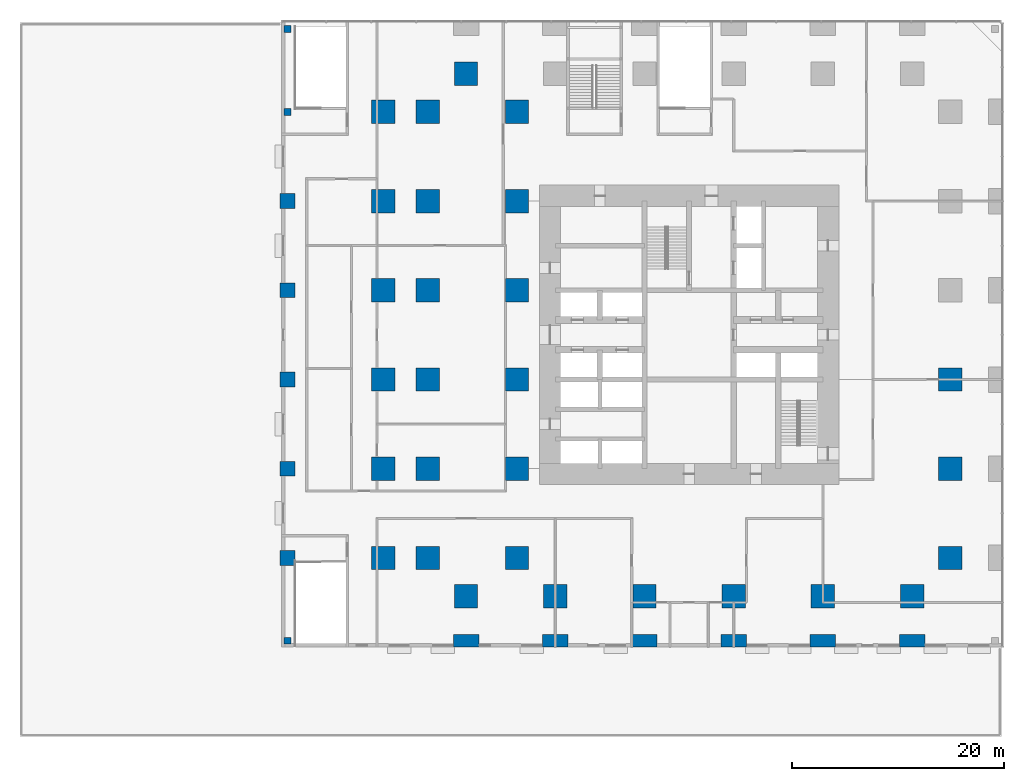
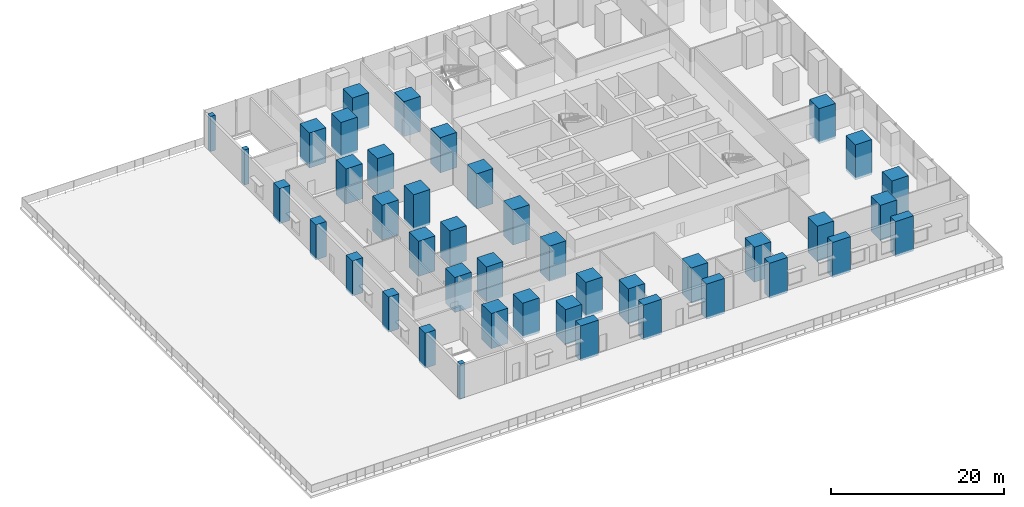
# One storey, part 1 of 18: 42 columns.
"""IFC4 building model written with IfcOpenShell, lengths in metres."""

from ifc_helpers import new_model, si_unit, direction, frame, origin, origin_2d, place, context, subcontext, project, spatial, rectangle, extrude, material, material_profile, profile_set, type_object, element, save


model = new_model("IFC4")

# Units and contexts
model_context = context("Model", 3, precision=1e-05, world=origin(), true_north=direction((0.0, 1.0)))
body_context = subcontext(model_context, "Body", "Model", "MODEL_VIEW")
ifc_project = project(units=[si_unit("LENGTHUNIT", "METRE"), si_unit("AREAUNIT", "SQUARE_METRE"), si_unit("VOLUMEUNIT", "CUBIC_METRE"), si_unit("PLANEANGLEUNIT", "RADIAN"), si_unit("MASSUNIT", "GRAM", prefix="KILO")], contexts=[model_context])

# Site, building, storey
site_placement = place(None, origin())
site = spatial("IfcSite", under=ifc_project, at=site_placement, CompositionType="ELEMENT")
building_placement = place(site_placement, origin())
building = spatial("IfcBuilding", under=site, at=building_placement, Name="Dunama Terrace Hotel", CompositionType="ELEMENT")
storey_placement = place(building_placement, frame((0.0, 0.0, 17.0)))
storey = spatial("IfcBuildingStorey", under=building, at=storey_placement, Name="L03", CompositionType="ELEMENT", Elevation=17.0)

# Columns
ifc_material_1 = material(Name="Concrete C50/60", Category="concrete")
ifc_material_profile_1 = material_profile(ifc_material_1, rectangle(XDim=1.39990234375, YDim=1.39990234375, at=origin_2d()), Name="RC 1400x1400")
ifc_profile_set_1 = profile_set([ifc_material_profile_1], Name="Concrete C50/60")
column_type_1 = type_object("IfcColumnType", Name="Column RC 1400x1400", PredefinedType="COLUMN", material=ifc_profile_set_1)
for number, where, z_axis, x_axis, name in (
    (1, (-8.39990234375, 8.39990234375, -0.300048828125), (0.0, 0.0, 1.0), (1.0, 0.0, 0.0), "Column L03 -8.4/+8.4"),
    (2, (-8.39990234375, 16.800048828125, -0.300048828125), (0.0, 0.0, 1.0), (1.0, 0.0, 0.0), "Column L03 -8.4/+16.8"),
    (3, (-8.39990234375, 25.199951171875, -0.300048828125), (0.0, 0.0, 1.0), (1.0, 0.0, 0.0), "Column L03 -8.4/+25.2"),
    (4, (-8.39990234375, 33.60009765625, -0.300048828125), (0.0, 0.0, 1.0), (1.0, 0.0, 0.0), "Column L03 -8.4/+33.6"),
    (5, (-8.39990234375, 42.0, -0.300048828125), (0.0, 0.0, 1.0), (1.0, 0.0, 0.0), "Column L03 -8.4/+42.0"),
):
    element("IfcColumn", number, at=place(storey_placement, frame(where, z_axis=z_axis, x_axis=x_axis)), inside=storey, type_object=column_type_1, Name=name, PredefinedType="COLUMN", context=body_context, shape_type="SweptSolid", body=[
        extrude(rectangle(XDim=1.39990234375, YDim=1.39990234375, at=origin_2d()), origin(), (0.0, 0.0, 1.0), 4.949951171875),
    ])
ifc_material_2 = material(Name="Concrete C60/75", Category="concrete")
ifc_material_profile_2 = material_profile(ifc_material_2, rectangle(XDim=2.199951171875, YDim=2.199951171875, at=origin_2d()), Name="RC 2200x2200")
ifc_profile_set_2 = profile_set([ifc_material_profile_2], Name="Concrete C60/75")
column_type_2 = type_object("IfcColumnType", Name="Column RC 2200x2200", PredefinedType="COLUMN", material=ifc_profile_set_2)
for number, where, z_axis, x_axis, name in (
    (6, (0.60009765625, 8.39990234375, -0.300048828125), (0.0, 0.0, 1.0), (1.0, 0.0, 0.0), "Column L03 +0.6/+8.4"),
    (7, (0.60009765625, 16.800048828125, -0.300048828125), (0.0, 0.0, 1.0), (1.0, 0.0, 0.0), "Column L03 +0.6/+16.8"),
    (8, (0.60009765625, 25.199951171875, -0.300048828125), (0.0, 0.0, 1.0), (1.0, 0.0, 0.0), "Column L03 +0.6/+25.2"),
    (9, (0.60009765625, 33.60009765625, -0.300048828125), (0.0, 0.0, 1.0), (1.0, 0.0, 0.0), "Column L03 +0.6/+33.6"),
    (10, (0.60009765625, 42.0, -0.300048828125), (0.0, 0.0, 1.0), (1.0, 0.0, 0.0), "Column L03 +0.6/+42.0"),
    (11, (0.60009765625, 50.39990234375, -0.300048828125), (0.0, 0.0, 1.0), (1.0, 0.0, 0.0), "Column L03 +0.6/+50.4"),
    (12, (4.800048828125, 8.39990234375, -0.300048828125), (0.0, 0.0, 1.0), (1.0, 0.0, 0.0), "Column L03 +4.8/+8.4"),
    (13, (4.800048828125, 16.800048828125, -0.300048828125), (0.0, 0.0, 1.0), (1.0, 0.0, 0.0), "Column L03 +4.8/+16.8"),
    (14, (4.800048828125, 25.199951171875, -0.300048828125), (0.0, 0.0, 1.0), (1.0, 0.0, 0.0), "Column L03 +4.8/+25.2"),
    (15, (4.800048828125, 33.60009765625, -0.300048828125), (0.0, 0.0, 1.0), (1.0, 0.0, 0.0), "Column L03 +4.8/+33.6"),
    (16, (4.800048828125, 42.0, -0.300048828125), (0.0, 0.0, 1.0), (1.0, 0.0, 0.0), "Column L03 +4.8/+42.0"),
    (17, (4.800048828125, 50.39990234375, -0.300048828125), (0.0, 0.0, 1.0), (1.0, 0.0, 0.0), "Column L03 +4.8/+50.4"),
    (18, (8.39990234375, 4.800048828125, -0.300048828125), (0.0, 0.0, 1.0), (1.0, 0.0, 0.0), "Column L03 +8.4/+4.8"),
    (19, (8.39990234375, 54.0, -0.300048828125), (0.0, 0.0, 1.0), (1.0, 0.0, 0.0), "Column L03 +8.4/+54.0"),
    (20, (13.199951171875, 8.39990234375, -0.300048828125), (0.0, 0.0, 1.0), (1.0, 0.0, 0.0), "Column L03 +13.2/+8.4"),
    (21, (13.199951171875, 16.800048828125, -0.300048828125), (0.0, 0.0, 1.0), (1.0, 0.0, 0.0), "Column L03 +13.2/+16.8"),
    (22, (13.199951171875, 25.199951171875, -0.300048828125), (0.0, 0.0, 1.0), (1.0, 0.0, 0.0), "Column L03 +13.2/+25.2"),
    (23, (13.199951171875, 33.60009765625, -0.300048828125), (0.0, 0.0, 1.0), (1.0, 0.0, 0.0), "Column L03 +13.2/+33.6"),
    (24, (13.199951171875, 42.0, -0.300048828125), (0.0, 0.0, 1.0), (1.0, 0.0, 0.0), "Column L03 +13.2/+42.0"),
    (25, (13.199951171875, 50.39990234375, -0.300048828125), (0.0, 0.0, 1.0), (1.0, 0.0, 0.0), "Column L03 +13.2/+50.4"),
    (26, (16.800048828125, 4.800048828125, -0.300048828125), (0.0, 0.0, 1.0), (1.0, 0.0, 0.0), "Column L03 +16.8/+4.8"),
    (27, (25.199951171875, 4.800048828125, -0.300048828125), (0.0, 0.0, 1.0), (1.0, 0.0, 0.0), "Column L03 +25.2/+4.8"),
    (28, (33.60009765625, 4.800048828125, -0.300048828125), (0.0, 0.0, 1.0), (1.0, 0.0, 0.0), "Column L03 +33.6/+4.8"),
    (29, (42.0, 4.800048828125, -0.300048828125), (0.0, 0.0, 1.0), (1.0, 0.0, 0.0), "Column L03 +42.0/+4.8"),
    (30, (50.39990234375, 4.800048828125, -0.300048828125), (0.0, 0.0, 1.0), (1.0, 0.0, 0.0), "Column L03 +50.4/+4.8"),
    (31, (54.0, 8.39990234375, -0.300048828125), (0.0, 0.0, 1.0), (1.0, 0.0, 0.0), "Column L03 +54.0/+8.4"),
    (32, (54.0, 16.800048828125, -0.300048828125), (0.0, 0.0, 1.0), (1.0, 0.0, 0.0), "Column L03 +54.0/+16.8"),
    (33, (54.0, 25.199951171875, -0.300048828125), (0.0, 0.0, 1.0), (1.0, 0.0, 0.0), "Column L03 +54.0/+25.2"),
):
    element("IfcColumn", number, at=place(storey_placement, frame(where, z_axis=z_axis, x_axis=x_axis)), inside=storey, type_object=column_type_2, Name=name, PredefinedType="COLUMN", context=body_context, shape_type="SweptSolid", body=[
        extrude(rectangle(XDim=2.199951171875, YDim=2.199951171875, at=origin_2d()), origin(), (0.0, 0.0, 1.0), 4.949951171875),
    ])
ifc_material_3 = material(Name="Concrete C60/75", Category="concrete")
ifc_material_profile_3 = material_profile(ifc_material_3, rectangle(XDim=2.39990234375, YDim=1.199951171875, at=origin_2d()), Name="RC 2400x1200")
ifc_profile_set_3 = profile_set([ifc_material_profile_3], Name="Concrete C60/75")
column_type_3 = type_object("IfcColumnType", Name="Column RC 2400x1200", PredefinedType="COLUMN", material=ifc_profile_set_3)
for number, where, z_axis, x_axis, name in (
    (34, (8.39990234375, 0.60009765625, -0.300048828125), (0.0, 0.0, 1.0), (1.0, 0.0, 0.0), "Column L03 +8.4/+0.6"),
    (35, (16.800048828125, 0.60009765625, -0.300048828125), (0.0, 0.0, 1.0), (1.0, 0.0, 0.0), "Column L03 +16.8/+0.6"),
    (36, (25.199951171875, 0.60009765625, -0.300048828125), (0.0, 0.0, 1.0), (1.0, 0.0, 0.0), "Column L03 +25.2/+0.6"),
    (37, (33.60009765625, 0.60009765625, -0.300048828125), (0.0, 0.0, 1.0), (1.0, 0.0, 0.0), "Column L03 +33.6/+0.6"),
    (38, (42.0, 0.60009765625, -0.300048828125), (0.0, 0.0, 1.0), (1.0, 0.0, 0.0), "Column L03 +42.0/+0.6"),
    (39, (50.39990234375, 0.60009765625, -0.300048828125), (0.0, 0.0, 1.0), (1.0, 0.0, 0.0), "Column L03 +50.4/+0.6"),
):
    element("IfcColumn", number, at=place(storey_placement, frame(where, z_axis=z_axis, x_axis=x_axis)), inside=storey, type_object=column_type_3, Name=name, PredefinedType="COLUMN", context=body_context, shape_type="SweptSolid", body=[
        extrude(rectangle(XDim=2.39990234375, YDim=1.199951171875, at=origin_2d()), origin(), (0.0, 0.0, 1.0), 4.949951171875),
    ])
ifc_material_4 = material(Name="Concrete C40/50", Category="concrete")
ifc_material_profile_4 = material_profile(ifc_material_4, rectangle(XDim=0.64990234375, YDim=0.64990234375, at=origin_2d()), Name="RC 650x650")
ifc_profile_set_4 = profile_set([ifc_material_profile_4], Name="Concrete C40/50")
column_type_4 = type_object("IfcColumnType", Name="Column RC 650x650", PredefinedType="COLUMN", material=ifc_profile_set_4)
for number, where, z_axis, x_axis, name in (
    (40, (-8.39990234375, 0.60009765625, -0.300048828125), (0.0, 0.0, 1.0), (1.0, 0.0, 0.0), "Column L03 -8.4/+0.6"),
    (41, (-8.39990234375, 50.39990234375, -0.300048828125), (0.0, 0.0, 1.0), (1.0, 0.0, 0.0), "Column L03 -8.4/+50.4"),
    (42, (-8.39990234375, 58.199951171875, -0.300048828125), (0.0, 0.0, 1.0), (1.0, 0.0, 0.0), "Column L03 -8.4/+58.2"),
):
    element("IfcColumn", number, at=place(storey_placement, frame(where, z_axis=z_axis, x_axis=x_axis)), inside=storey, type_object=column_type_4, Name=name, PredefinedType="COLUMN", context=body_context, shape_type="SweptSolid", body=[
        extrude(rectangle(XDim=0.64990234375, YDim=0.64990234375, at=origin_2d()), origin(), (0.0, 0.0, 1.0), 4.949951171875),
    ])

save(model, "model.ifc")
